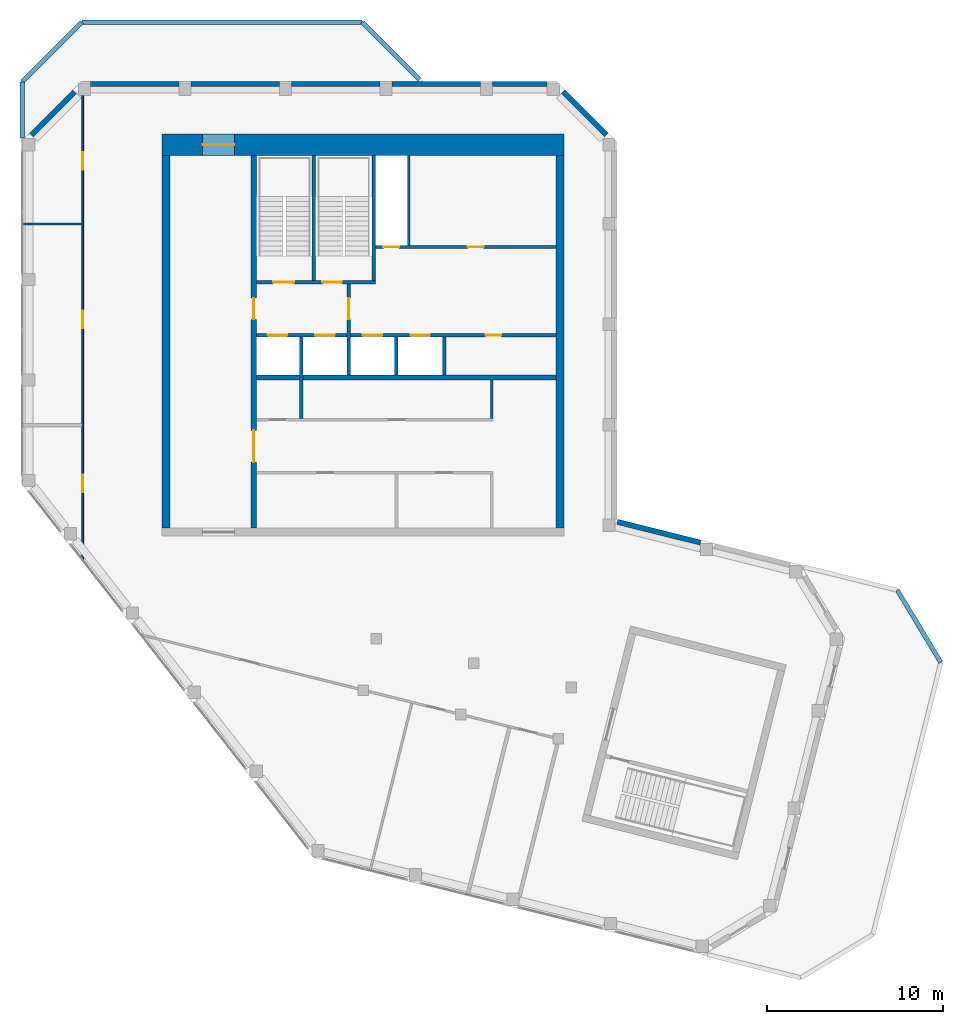
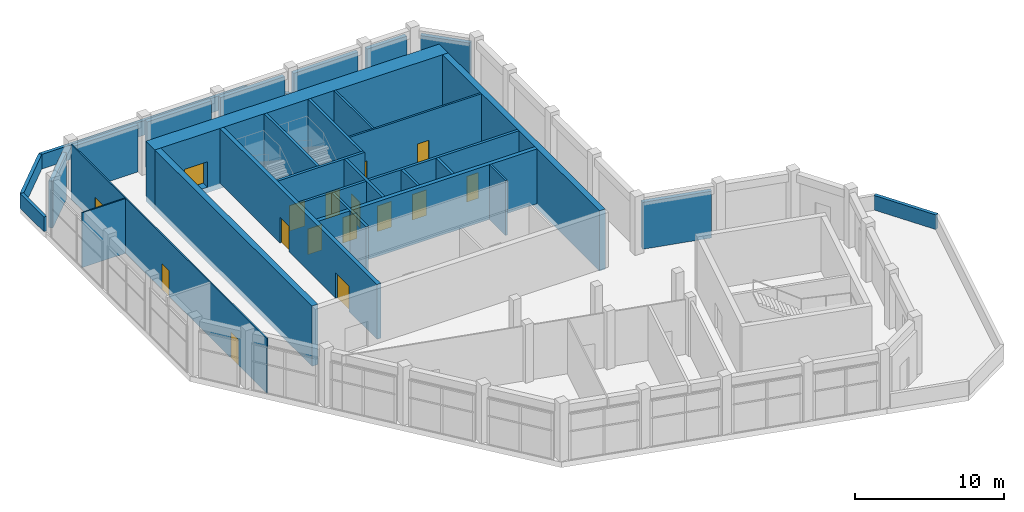
# One storey, part 8 of 10: 31 walls, 16 doors, 16 openings.
"""IFC4 building model written with IfcOpenShell, lengths in metres."""

from ifc_helpers import new_model, si_unit, direction, frame, frame_2d, origin, place, context, subcontext, project, spatial, rectangle, extrude, material, layer, layer_set, type_object, element, fill, save


model = new_model("IFC4")

# Units and contexts
model_context = context("Model", 3, precision=1e-05, world=origin(), true_north=direction((0.0, 1.0)))
body_context = subcontext(model_context, "Body", "Model", "MODEL_VIEW")
ifc_project = project(units=[si_unit("LENGTHUNIT", "METRE"), si_unit("AREAUNIT", "SQUARE_METRE"), si_unit("VOLUMEUNIT", "CUBIC_METRE"), si_unit("PLANEANGLEUNIT", "RADIAN"), si_unit("MASSUNIT", "GRAM", prefix="KILO")], contexts=[model_context])

# Site, building, storey
site_placement = place(None, origin())
site = spatial("IfcSite", under=ifc_project, at=site_placement, CompositionType="ELEMENT")
building_placement = place(site_placement, origin())
building = spatial("IfcBuilding", under=site, at=building_placement, Name="Meshkara Civic Tower", CompositionType="ELEMENT")
storey_placement = place(building_placement, frame((0.0, 0.0, 419.39990234375)))
storey = spatial("IfcBuildingStorey", under=building, at=storey_placement, Name="L96 Crown", CompositionType="ELEMENT", Elevation=419.39990234375)

# Walls
ifc_material_1 = material(Name="Insulated infill panel with bronze anodised aluminium cladding", Category="aluminium")
ifc_layer_1 = layer(ifc_material_1, 0.300048828125)
ifc_layer_set_1 = layer_set([ifc_layer_1], Name="CROWN WALL 300")
wall_type_1 = type_object("IfcWallType", Name="CROWN WALL 300", PredefinedType="SOLIDWALL", material=ifc_layer_set_1)
wall_1_placement = place(storey_placement, frame((38.5419921875, 13.73388671875, 0.0), z_axis=(0.0, 0.0, 1.0), x_axis=(-0.970284401049, 0.241967314076, 0.0)))
element("IfcWall", 1, at=wall_1_placement, inside=storey, type_object=wall_type_1, Name="Crown external wall", PredefinedType="SOLIDWALL", context=body_context, shape_type="SweptSolid", body=[
    extrude(rectangle(XDim=4.852294921875, YDim=0.300048828125, at=frame_2d((2.42626953125, 0.0))), origin(), (0.0, 0.0, 1.0), 3.85009765625),
])
wall_2_placement = place(storey_placement, frame((33.2119140625, 36.85595703125, 0.0), z_axis=(0.0, 0.0, 1.0), x_axis=(-0.707071634094, 0.707141926532, 0.0)))
element("IfcWall", 2, at=wall_2_placement, inside=storey, type_object=wall_type_1, Name="Crown external wall", PredefinedType="SOLIDWALL", context=body_context, shape_type="SweptSolid", body=[
    extrude(rectangle(XDim=3.47314453125, YDim=0.300048828125, at=frame_2d((1.736572265625, 0.0))), origin(), (0.0, 0.0, 1.0), 3.85009765625),
])
wall_3_placement = place(storey_placement, frame((29.843994140625, 39.75, 0.0), z_axis=(0.0, 0.0, 1.0), x_axis=(-1.0, 0.0, 0.0)))
element("IfcWall", 3, at=wall_3_placement, inside=storey, type_object=wall_type_1, Name="Crown external wall", PredefinedType="SOLIDWALL", context=body_context, shape_type="SweptSolid", body=[
    extrude(rectangle(XDim=3.087890625, YDim=0.300048828125, at=frame_2d((1.5439453125, 0.0))), origin(), (0.0, 0.0, 1.0), 3.85009765625),
])
for number, where, z_axis, x_axis, name in (
    (4, (26.055908203125, 39.75, 0.0), (0.0, 0.0, 1.0), (-1.0, 0.0, 0.0), "Crown external wall"),
    (5, (20.35595703125, 39.75, 0.0), (0.0, 0.0, 1.0), (-1.0, 0.0, 0.0), "Crown external wall"),
    (6, (14.656005859375, 39.75, 0.0), (0.0, 0.0, 1.0), (-1.0, 0.0, 0.0), "Crown external wall"),
    (7, (8.9560546875, 39.75, 0.0), (0.0, 0.0, 1.0), (-1.0, 0.0, 0.0), "Crown external wall"),
):
    element("IfcWall", number, at=place(storey_placement, frame(where, z_axis=z_axis, x_axis=x_axis)), inside=storey, type_object=wall_type_1, Name=name, PredefinedType="SOLIDWALL", context=body_context, shape_type="SweptSolid", body=[
        extrude(rectangle(XDim=5.0, YDim=0.300048828125, at=frame_2d((2.5, 0.0))), origin(), (0.0, 0.0, 1.0), 3.85009765625),
    ])
wall_4_placement = place(storey_placement, frame((3.0439453125, 39.31201171875, 0.0), z_axis=(0.0, 0.0, 1.0), x_axis=(-0.707106781187, -0.707106781187, 0.0)))
element("IfcWall", 8, at=wall_4_placement, inside=storey, type_object=wall_type_1, Name="Crown external wall", PredefinedType="SOLIDWALL", context=body_context, shape_type="SweptSolid", body=[
    extrude(rectangle(XDim=3.473388671875, YDim=0.300048828125, at=frame_2d((1.73681640625, 0.0))), origin(), (0.0, 0.0, 1.0), 3.85009765625),
])

# Wall, openings, doors
ifc_material_2 = material(Name="Blockwork", Category="masonry")
ifc_layer_2 = layer(ifc_material_2, 0.14990234375)
ifc_layer_set_2 = layer_set([ifc_layer_2], Name="Core partition 150")
wall_type_2 = type_object("IfcWallType", Name="Core partition 150", PredefinedType="PARTITIONING", material=ifc_layer_set_2)
wall_5_placement = place(storey_placement, frame((20.10009765625, 30.5, 0.0), z_axis=(0.0, 0.0, 1.0), x_axis=(1.0, 0.0, 0.0)))
wall_5 = element("IfcWall", 9, at=wall_5_placement, inside=storey, type_object=wall_type_2, Name="L96 Crown-C010", PredefinedType="PARTITIONING", context=body_context, shape_type="SweptSolid", body=[
    extrude(rectangle(XDim=10.25, YDim=0.14990234375, at=frame_2d((5.125, 0.0))), origin(), (0.0, 0.0, 1.0), 4.5),
])
opening_1_placement = place(wall_5_placement, frame((0.449951171875, 0.0, 0.0)))
opening_1 = element("IfcOpeningElement", 10, at=opening_1_placement, cuts=wall_5, Name="Opening L96 Crown-K010", PredefinedType="OPENING", context=body_context, shape_type="SweptSolid", body=[
    extrude(rectangle(XDim=0.89990234375, YDim=2.10009765625, at=frame_2d((0.449951171875, 1.050048828125))), frame((0.0, 0.0849609375, 0.0), z_axis=(0.0, -1.0, 0.0), x_axis=(1.0, 0.0, 0.0)), (0.0, 0.0, 1.0), 0.169921875),
])
opening_2_placement = place(wall_5_placement, frame((5.25, 0.0, 0.0)))
opening_2 = element("IfcOpeningElement", 11, at=opening_2_placement, cuts=wall_5, Name="Opening L96 Crown-K011", PredefinedType="OPENING", context=body_context, shape_type="SweptSolid", body=[
    extrude(rectangle(XDim=0.89990234375, YDim=2.10009765625, at=frame_2d((0.449951171875, 1.050048828125))), frame((0.0, 0.0849609375, 0.0), z_axis=(0.0, -1.0, 0.0), x_axis=(1.0, 0.0, 0.0)), (0.0, 0.0, 1.0), 0.169921875),
])
ifc_material_3 = material(Name="Timber door leaf in steel frame", Category="steel")
door_type_1 = type_object("IfcDoorType", Name="Core room door 900", OperationType="SINGLE_SWING_LEFT", PredefinedType="DOOR", material=ifc_material_3)
door_1_placement = place(opening_2_placement, origin())
door_1 = element("IfcDoor", 12, at=door_1_placement, inside=storey, type_object=door_type_1, Name="L96 Crown-K011", OperationType="SINGLE_SWING_LEFT", OverallHeight=2.10009765625, OverallWidth=0.89990234375, PredefinedType="DOOR", context=body_context, shape_type="SweptSolid", body=[
    extrude(rectangle(XDim=0.89990234375, YDim=2.10009765625, at=frame_2d((0.449951171875, 1.050048828125))), frame((0.0, 0.02490234375, 0.0), z_axis=(0.0, -1.0, 0.0), x_axis=(1.0, 0.0, 0.0)), (0.0, 0.0, 1.0), 0.050048828125),
])
fill(opening_2, door_1)
ifc_material_4 = material(Name="Fire-rated door leaf in steel frame", Category="steel")
door_type_2 = type_object("IfcDoorType", Name="Riser door 900", OperationType="SINGLE_SWING_LEFT", PredefinedType="DOOR", material=ifc_material_4)
door_2_placement = place(opening_1_placement, origin())
door_2 = element("IfcDoor", 13, at=door_2_placement, inside=storey, type_object=door_type_2, Name="L96 Crown-K010", OperationType="SINGLE_SWING_RIGHT", OverallHeight=2.10009765625, OverallWidth=0.89990234375, PredefinedType="DOOR", context=body_context, shape_type="SweptSolid", body=[
    extrude(rectangle(XDim=0.89990234375, YDim=2.10009765625, at=frame_2d((0.449951171875, 1.050048828125))), frame((0.0, 0.02490234375, 0.0), z_axis=(0.0, -1.0, 0.0), x_axis=(1.0, 0.0, 0.0)), (0.0, 0.0, 1.0), 0.050048828125),
])
fill(opening_1, door_2)

# Walls
wall_6_placement = place(storey_placement, frame((22.0, 30.574951171875, 0.0), z_axis=(0.0, 0.0, 1.0), x_axis=(0.0, 1.0, 0.0)))
element("IfcWall", 14, at=wall_6_placement, inside=storey, type_object=wall_type_2, Name="L96 Crown-C018", PredefinedType="PARTITIONING", context=body_context, shape_type="SweptSolid", body=[
    extrude(rectangle(XDim=5.125, YDim=0.14990234375, at=frame_2d((2.5625, 0.0))), origin(), (0.0, 0.0, 1.0), 4.5),
])
wall_7_placement = place(storey_placement, frame((26.699951171875, 20.77490234375, 0.0), z_axis=(0.0, 0.0, 1.0), x_axis=(0.0, 1.0, 0.0)))
element("IfcWall", 15, at=wall_7_placement, inside=storey, type_object=wall_type_2, Name="L96 Crown-C021", PredefinedType="PARTITIONING", context=body_context, shape_type="SweptSolid", body=[
    extrude(rectangle(XDim=2.175048828125, YDim=0.14990234375, at=frame_2d((1.08740234375, 0.0))), origin(), (0.0, 0.0, 1.0), 4.5),
])

# Wall, opening, door
ifc_material_5 = material(Name="Concrete C50", Category="concrete")
ifc_layer_3 = layer(ifc_material_5, 1.199951171875)
ifc_layer_set_3 = layer_set([ifc_layer_3], Name="Core ring wall 1200 C50")
wall_type_3 = type_object("IfcWallType", Name="Core ring wall 1200 C50", PredefinedType="SHEAR", material=ifc_layer_set_3)
wall_8_placement = place(storey_placement, frame((8.0, 36.300048828125, -0.449951171875), z_axis=(0.0, 0.0, 1.0), x_axis=(1.0, 0.0, 0.0)))
wall_8 = element("IfcWall", 16, at=wall_8_placement, inside=storey, type_object=wall_type_3, Name="L96 Crown-C002", PredefinedType="SHEAR", context=body_context, shape_type="SweptSolid", body=[
    extrude(rectangle(XDim=22.800048828125, YDim=1.199951171875, at=frame_2d((11.39990234375, 0.0))), origin(), (0.0, 0.0, 1.0), 4.949951171875),
])
opening_3_placement = place(wall_8_placement, frame((2.300048828125, 0.0, 0.449951171875)))
opening_3 = element("IfcOpeningElement", 17, at=opening_3_placement, cuts=wall_8, Name="Opening L96 Crown-K017", PredefinedType="OPENING", context=body_context, shape_type="SweptSolid", body=[
    extrude(rectangle(XDim=1.800048828125, YDim=2.10009765625, at=frame_2d((0.89990234375, 1.050048828125))), frame((0.0, 0.60986328125, 0.0), z_axis=(0.0, -1.0, 0.0), x_axis=(1.0, 0.0, 0.0)), (0.0, 0.0, 1.0), 1.219970703125),
])
ifc_material_6 = material(Name="Fire-rated door leaf in steel frame", Category="steel")
door_type_3 = type_object("IfcDoorType", Name="Core double door 1800 EI 60", OperationType="DOUBLE_DOOR_SINGLE_SWING", PredefinedType="DOOR", material=ifc_material_6)
door_3_placement = place(opening_3_placement, origin())
door_3 = element("IfcDoor", 18, at=door_3_placement, inside=storey, type_object=door_type_3, Name="L96 Crown-K017", OperationType="DOUBLE_DOOR_SINGLE_SWING", OverallHeight=2.10009765625, OverallWidth=1.800048828125, PredefinedType="DOOR", context=body_context, shape_type="SweptSolid", body=[
    extrude(rectangle(XDim=1.800048828125, YDim=2.10009765625, at=frame_2d((0.89990234375, 1.050048828125))), frame((0.0, 0.02490234375, 0.0), z_axis=(0.0, -1.0, 0.0), x_axis=(1.0, 0.0, 0.0)), (0.0, 0.0, 1.0), 0.050048828125),
])
fill(opening_3, door_3)

# Walls
ifc_material_7 = material(Name="Concrete C50", Category="concrete")
ifc_layer_4 = layer(ifc_material_7, 0.449951171875)
ifc_layer_set_4 = layer_set([ifc_layer_4], Name="Core ring wall 450 C50")
wall_type_4 = type_object("IfcWallType", Name="Core ring wall 450 C50", PredefinedType="SHEAR", material=ifc_layer_set_4)
for number, where, z_axis, x_axis, name in (
    (19, (8.22509765625, 14.550048828125, -0.449951171875), (0.0, 0.0, 1.0), (0.0, 1.0, 0.0), "L96 Crown-C003"),
    (20, (30.574951171875, 14.550048828125, -0.449951171875), (0.0, 0.0, 1.0), (0.0, 1.0, 0.0), "L96 Crown-C004"),
):
    element("IfcWall", number, at=place(storey_placement, frame(where, z_axis=z_axis, x_axis=x_axis)), inside=storey, type_object=wall_type_4, Name=name, PredefinedType="SHEAR", context=body_context, shape_type="SweptSolid", body=[
        extrude(rectangle(XDim=21.14990234375, YDim=0.449951171875, at=frame_2d((10.574951171875, 0.0))), origin(), (0.0, 0.0, 1.0), 4.949951171875),
    ])
ifc_material_8 = material(Name="Concrete C50", Category="concrete")
ifc_layer_5 = layer(ifc_material_8, 0.300048828125)
ifc_layer_set_5 = layer_set([ifc_layer_5], Name="Core shear wall 300 C50")
wall_type_5 = type_object("IfcWallType", Name="Core shear wall 300 C50", PredefinedType="SHEAR", material=ifc_layer_set_5)
wall_9_placement = place(storey_placement, frame((13.35009765625, 23.10009765625, 0.0), z_axis=(0.0, 0.0, 1.0), x_axis=(1.0, 0.0, 0.0)))
element("IfcWall", 21, at=wall_9_placement, inside=storey, type_object=wall_type_5, Name="L96 Crown-C007", PredefinedType="SHEAR", context=body_context, shape_type="SweptSolid", body=[
    extrude(rectangle(XDim=17.0, YDim=0.300048828125, at=frame_2d((8.5, 0.0))), origin(), (0.0, 0.0, 1.0), 4.5),
])

# Wall, openings, doors
wall_10_placement = place(storey_placement, frame((13.199951171875, 14.550048828125, 0.0), z_axis=(0.0, 0.0, 1.0), x_axis=(0.0, 1.0, 0.0)))
wall_10 = element("IfcWall", 22, at=wall_10_placement, inside=storey, type_object=wall_type_5, Name="L96 Crown-C011", PredefinedType="SHEAR", context=body_context, shape_type="SweptSolid", body=[
    extrude(rectangle(XDim=21.14990234375, YDim=0.300048828125, at=frame_2d((10.574951171875, 0.0))), origin(), (0.0, 0.0, 1.0), 4.5),
])
opening_4_placement = place(wall_10_placement, frame((3.75, 0.0, 0.0)))
opening_4 = element("IfcOpeningElement", 23, at=opening_4_placement, cuts=wall_10, Name="Opening L96 Crown-K014", PredefinedType="OPENING", context=body_context, shape_type="SweptSolid", body=[
    extrude(rectangle(XDim=1.800048828125, YDim=2.10009765625, at=frame_2d((0.89990234375, 1.050048828125))), frame((0.0, 0.159912109375, 0.0), z_axis=(0.0, -1.0, 0.0), x_axis=(1.0, 0.0, 0.0)), (0.0, 0.0, 1.0), 0.320068359375),
])
opening_5_placement = place(wall_10_placement, frame((11.85009765625, 0.0, 0.0)))
opening_5 = element("IfcOpeningElement", 24, at=opening_5_placement, cuts=wall_10, Name="Opening L96 Crown-K015", PredefinedType="OPENING", context=body_context, shape_type="SweptSolid", body=[
    extrude(rectangle(XDim=1.199951171875, YDim=2.10009765625, at=frame_2d((0.60009765625, 1.050048828125))), frame((0.0, 0.159912109375, 0.0), z_axis=(0.0, -1.0, 0.0), x_axis=(1.0, 0.0, 0.0)), (0.0, 0.0, 1.0), 0.320068359375),
])
door_4_placement = place(opening_4_placement, origin())
door_4 = element("IfcDoor", 25, at=door_4_placement, inside=storey, type_object=door_type_3, Name="L96 Crown-K014", OperationType="DOUBLE_DOOR_SINGLE_SWING", OverallHeight=2.10009765625, OverallWidth=1.800048828125, PredefinedType="DOOR", context=body_context, shape_type="SweptSolid", body=[
    extrude(rectangle(XDim=1.800048828125, YDim=2.10009765625, at=frame_2d((0.89990234375, 1.050048828125))), frame((0.0, 0.02490234375, 0.0), z_axis=(0.0, -1.0, 0.0), x_axis=(1.0, 0.0, 0.0)), (0.0, 0.0, 1.0), 0.050048828125),
])
fill(opening_4, door_4)
ifc_material_9 = material(Name="Fire-rated door leaf in steel frame", Category="steel")
door_type_4 = type_object("IfcDoorType", Name="Fire-fighting lobby door 1200 EI 120", OperationType="SINGLE_SWING_LEFT", PredefinedType="DOOR", material=ifc_material_9)
door_5_placement = place(opening_5_placement, origin())
door_5 = element("IfcDoor", 26, at=door_5_placement, inside=storey, type_object=door_type_4, Name="L96 Crown-K015", OperationType="SINGLE_SWING_LEFT", OverallHeight=2.10009765625, OverallWidth=1.199951171875, PredefinedType="DOOR", context=body_context, shape_type="SweptSolid", body=[
    extrude(rectangle(XDim=1.199951171875, YDim=2.10009765625, at=frame_2d((0.60009765625, 1.050048828125))), frame((0.0, 0.02490234375, 0.0), z_axis=(0.0, -1.0, 0.0), x_axis=(1.0, 0.0, 0.0)), (0.0, 0.0, 1.0), 0.050048828125),
])
fill(opening_5, door_5)

ifc_material_10 = material(Name="Corridor wall 100")
ifc_layer_6 = layer(ifc_material_10, 0.10009765625)
ifc_layer_set_6 = layer_set([ifc_layer_6], Name="Corridor wall 100")
wall_type_6 = type_object("IfcWallType", Name="Corridor wall 100", PredefinedType="PARTITIONING", material=ifc_layer_set_6)
wall_11_placement = place(storey_placement, frame((3.5, 12.7529296875, 0.0), z_axis=(0.0, 0.0, 1.0), x_axis=(0.0, 1.0, 0.0)))
wall_11 = element("IfcWall", 27, at=wall_11_placement, inside=storey, type_object=wall_type_6, Name="L96 Crown-R001", PredefinedType="PARTITIONING", context=body_context, shape_type="SweptSolid", body=[
    extrude(rectangle(XDim=26.3271484375, YDim=0.10009765625, at=frame_2d((13.16357421875, 0.0))), origin(), (0.0, 0.0, 1.0), 4.5),
])
opening_6_placement = place(wall_11_placement, frame((3.833984375, 0.0, 0.0)))
opening_6 = element("IfcOpeningElement", 28, at=opening_6_placement, cuts=wall_11, Name="Opening L96 Crown-P004", PredefinedType="OPENING", context=body_context, shape_type="SweptSolid", body=[
    extrude(rectangle(XDim=1.0, YDim=2.10009765625, at=frame_2d((0.5, 1.050048828125))), frame((0.0, 0.06005859375, 0.0), z_axis=(0.0, -1.0, 0.0), x_axis=(1.0, 0.0, 0.0)), (0.0, 0.0, 1.0), 0.1201171875),
])
opening_7_placement = place(wall_11_placement, frame((13.126953125, 0.0, 0.0)))
opening_7 = element("IfcOpeningElement", 29, at=opening_7_placement, cuts=wall_11, Name="Opening L96 Crown-P005", PredefinedType="OPENING", context=body_context, shape_type="SweptSolid", body=[
    extrude(rectangle(XDim=1.0, YDim=2.10009765625, at=frame_2d((0.5, 1.050048828125))), frame((0.0, 0.06005859375, 0.0), z_axis=(0.0, -1.0, 0.0), x_axis=(1.0, 0.0, 0.0)), (0.0, 0.0, 1.0), 0.1201171875),
])
opening_8_placement = place(wall_11_placement, frame((22.126953125, 0.0, 0.0)))
opening_8 = element("IfcOpeningElement", 30, at=opening_8_placement, cuts=wall_11, Name="Opening L96 Crown-P006", PredefinedType="OPENING", context=body_context, shape_type="SweptSolid", body=[
    extrude(rectangle(XDim=1.0, YDim=2.10009765625, at=frame_2d((0.5, 1.050048828125))), frame((0.0, 0.06005859375, 0.0), z_axis=(0.0, -1.0, 0.0), x_axis=(1.0, 0.0, 0.0)), (0.0, 0.0, 1.0), 0.1201171875),
])
ifc_material_11 = material(Name="Door 1000 x 2100")
door_type_5 = type_object("IfcDoorType", Name="Door 1000 x 2100", OperationType="SINGLE_SWING_LEFT", PredefinedType="DOOR", material=ifc_material_11)
door_6_placement = place(opening_6_placement, origin())
door_6 = element("IfcDoor", 31, at=door_6_placement, inside=storey, type_object=door_type_5, Name="L96 Crown-P004", OperationType="SINGLE_SWING_LEFT", OverallHeight=2.10009765625, OverallWidth=1.0, PredefinedType="DOOR", context=body_context, shape_type="SweptSolid", body=[
    extrude(rectangle(XDim=1.0, YDim=2.10009765625, at=frame_2d((0.5, 1.050048828125))), frame((0.0, 0.02490234375, 0.0), z_axis=(0.0, -1.0, 0.0), x_axis=(1.0, 0.0, 0.0)), (0.0, 0.0, 1.0), 0.050048828125),
])
fill(opening_6, door_6)
door_7_placement = place(opening_7_placement, origin())
door_7 = element("IfcDoor", 32, at=door_7_placement, inside=storey, type_object=door_type_5, Name="L96 Crown-P005", OperationType="SINGLE_SWING_RIGHT", OverallHeight=2.10009765625, OverallWidth=1.0, PredefinedType="DOOR", context=body_context, shape_type="SweptSolid", body=[
    extrude(rectangle(XDim=1.0, YDim=2.10009765625, at=frame_2d((0.5, 1.050048828125))), frame((0.0, 0.02490234375, 0.0), z_axis=(0.0, -1.0, 0.0), x_axis=(1.0, 0.0, 0.0)), (0.0, 0.0, 1.0), 0.050048828125),
])
fill(opening_7, door_7)
door_8_placement = place(opening_8_placement, origin())
door_8 = element("IfcDoor", 33, at=door_8_placement, inside=storey, type_object=door_type_5, Name="L96 Crown-P006", OperationType="SINGLE_SWING_RIGHT", OverallHeight=2.10009765625, OverallWidth=1.0, PredefinedType="DOOR", context=body_context, shape_type="SweptSolid", body=[
    extrude(rectangle(XDim=1.0, YDim=2.10009765625, at=frame_2d((0.5, 1.050048828125))), frame((0.0, 0.02490234375, 0.0), z_axis=(0.0, -1.0, 0.0), x_axis=(1.0, 0.0, 0.0)), (0.0, 0.0, 1.0), 0.050048828125),
])
fill(opening_8, door_8)

# Walls
ifc_material_12 = material(Name="Partition 100")
ifc_layer_7 = layer(ifc_material_12, 0.10009765625)
ifc_layer_set_7 = layer_set([ifc_layer_7], Name="Partition 100")
wall_type_7 = type_object("IfcWallType", Name="Partition 100", PredefinedType="PARTITIONING", material=ifc_layer_set_7)
wall_12_placement = place(storey_placement, frame((3.449951171875, 31.800048828125, 0.0), z_axis=(0.0, 0.0, 1.0), x_axis=(-1.0, 0.0, 0.0)))
element("IfcWall", 34, at=wall_12_placement, inside=storey, type_object=wall_type_7, Name="L96 Crown-R007", PredefinedType="PARTITIONING", context=body_context, shape_type="SweptSolid", body=[
    extrude(rectangle(XDim=3.3759765625, YDim=0.10009765625, at=frame_2d((1.68798828125, 0.0))), origin(), (0.0, 0.0, 1.0), 4.5),
])
ifc_material_13 = material(Name="Concrete C40", Category="concrete")
ifc_layer_8 = layer(ifc_material_13, 0.25)
ifc_layer_set_8 = layer_set([ifc_layer_8], Name="ROOF PARAPET 250")
wall_type_8 = type_object("IfcWallType", Name="ROOF PARAPET 250", PredefinedType="PARAPET", material=ifc_layer_set_8)
wall_13_placement = place(storey_placement, frame((0.070068359375, 36.69091796875, 0.0), z_axis=(0.0, 0.0, 1.0), x_axis=(0.0, 1.0, 0.0)))
element("IfcWall", 35, at=wall_13_placement, inside=storey, type_object=wall_type_8, Name="Roof parapet", PredefinedType="PARAPET", context=body_context, shape_type="SweptSolid", body=[
    extrude(rectangle(XDim=3.18017578125, YDim=0.25, at=frame_2d((1.590087890625, 0.0))), origin(), (0.0, 0.0, 1.0), 1.2001953125),
])
wall_14_placement = place(storey_placement, frame((0.070068359375, 39.87109375, 0.0), z_axis=(0.0, 0.0, 1.0), x_axis=(0.707106781187, 0.707106781187, 0.0)))
element("IfcWall", 36, at=wall_14_placement, inside=storey, type_object=wall_type_8, Name="Roof parapet", PredefinedType="PARAPET", context=body_context, shape_type="SweptSolid", body=[
    extrude(rectangle(XDim=4.778564453125, YDim=0.25, at=frame_2d((2.38916015625, 0.0))), origin(), (0.0, 0.0, 1.0), 1.2001953125),
])
wall_15_placement = place(storey_placement, frame((3.448974609375, 43.25, 0.0), z_axis=(0.0, 0.0, 1.0), x_axis=(1.0, 0.0, 0.0)))
element("IfcWall", 37, at=wall_15_placement, inside=storey, type_object=wall_type_8, Name="Roof parapet", PredefinedType="PARAPET", context=body_context, shape_type="SweptSolid", body=[
    extrude(rectangle(XDim=15.902099609375, YDim=0.25, at=frame_2d((7.951171875, 0.0))), origin(), (0.0, 0.0, 1.0), 1.2001953125),
])
wall_16_placement = place(storey_placement, frame((19.35107421875, 43.25, 0.0), z_axis=(0.0, 0.0, 1.0), x_axis=(0.707106781187, -0.707106781187, 0.0)))
element("IfcWall", 38, at=wall_16_placement, inside=storey, type_object=wall_type_8, Name="Roof parapet", PredefinedType="PARAPET", context=body_context, shape_type="SweptSolid", body=[
    extrude(rectangle(XDim=4.59619140625, YDim=0.25, at=frame_2d((2.298095703125, 0.0))), origin(), (0.0, 0.0, 1.0), 1.2001953125),
])
wall_17_placement = place(storey_placement, frame((49.716064453125, 11.030029296875, 0.0), z_axis=(0.0, 0.0, 1.0), x_axis=(0.515014101709, -0.857181704798, 0.0)))
element("IfcWall", 39, at=wall_17_placement, inside=storey, type_object=wall_type_8, Name="Roof parapet", PredefinedType="PARAPET", context=body_context, shape_type="SweptSolid", body=[
    extrude(rectangle(XDim=4.7783203125, YDim=0.25, at=frame_2d((2.38916015625, 0.0))), origin(), (0.0, 0.0, 1.0), 1.2001953125),
])

# Wall, openings, doors
ifc_material_14 = material(Name="Concrete C40/50", Category="concrete")
ifc_layer_9 = layer(ifc_material_14, 0.199951171875)
ifc_layer_set_9 = layer_set([ifc_layer_9], Name="Shaft wall 200 C40/50")
wall_type_9 = type_object("IfcWallType", Name="Shaft wall 200 C40/50", PredefinedType="SOLIDWALL", material=ifc_layer_set_9)
wall_18_placement = place(storey_placement, frame((13.35009765625, 25.5, 0.0), z_axis=(0.0, 0.0, 1.0), x_axis=(1.0, 0.0, 0.0)))
wall_18 = element("IfcWall", 40, at=wall_18_placement, inside=storey, type_object=wall_type_9, Name="L96 Crown-C008", PredefinedType="SOLIDWALL", context=body_context, shape_type="SweptSolid", body=[
    extrude(rectangle(XDim=17.0, YDim=0.199951171875, at=frame_2d((8.5, 0.0))), origin(), (0.0, 0.0, 1.0), 4.5),
])
opening_9_placement = place(wall_18_placement, frame((0.64990234375, 0.0, 0.0)))
opening_9 = element("IfcOpeningElement", 41, at=opening_9_placement, cuts=wall_18, Name="Opening L96 Crown-K001", PredefinedType="OPENING", context=body_context, shape_type="SweptSolid", body=[
    extrude(rectangle(XDim=1.10009765625, YDim=2.10009765625, at=frame_2d((0.550048828125, 1.050048828125))), frame((0.0, 0.10986328125, 0.0), z_axis=(0.0, -1.0, 0.0), x_axis=(1.0, 0.0, 0.0)), (0.0, 0.0, 1.0), 0.219970703125),
])
opening_10_placement = place(wall_18_placement, frame((3.35009765625, 0.0, 0.0)))
opening_10 = element("IfcOpeningElement", 42, at=opening_10_placement, cuts=wall_18, Name="Opening L96 Crown-K002", PredefinedType="OPENING", context=body_context, shape_type="SweptSolid", body=[
    extrude(rectangle(XDim=1.10009765625, YDim=2.10009765625, at=frame_2d((0.550048828125, 1.050048828125))), frame((0.0, 0.10986328125, 0.0), z_axis=(0.0, -1.0, 0.0), x_axis=(1.0, 0.0, 0.0)), (0.0, 0.0, 1.0), 0.219970703125),
])
opening_11_placement = place(wall_18_placement, frame((6.050048828125, 0.0, 0.0)))
opening_11 = element("IfcOpeningElement", 43, at=opening_11_placement, cuts=wall_18, Name="Opening L96 Crown-K003", PredefinedType="OPENING", context=body_context, shape_type="SweptSolid", body=[
    extrude(rectangle(XDim=1.10009765625, YDim=2.10009765625, at=frame_2d((0.550048828125, 1.050048828125))), frame((0.0, 0.10986328125, 0.0), z_axis=(0.0, -1.0, 0.0), x_axis=(1.0, 0.0, 0.0)), (0.0, 0.0, 1.0), 0.219970703125),
])
opening_12_placement = place(wall_18_placement, frame((8.75, 0.0, 0.0)))
opening_12 = element("IfcOpeningElement", 44, at=opening_12_placement, cuts=wall_18, Name="Opening L96 Crown-K004", PredefinedType="OPENING", context=body_context, shape_type="SweptSolid", body=[
    extrude(rectangle(XDim=1.10009765625, YDim=2.10009765625, at=frame_2d((0.550048828125, 1.050048828125))), frame((0.0, 0.10986328125, 0.0), z_axis=(0.0, -1.0, 0.0), x_axis=(1.0, 0.0, 0.0)), (0.0, 0.0, 1.0), 0.219970703125),
])
opening_13_placement = place(wall_18_placement, frame((13.0, 0.0, 0.0)))
opening_13 = element("IfcOpeningElement", 45, at=opening_13_placement, cuts=wall_18, Name="Opening L96 Crown-K009", PredefinedType="OPENING", context=body_context, shape_type="SweptSolid", body=[
    extrude(rectangle(XDim=0.89990234375, YDim=2.10009765625, at=frame_2d((0.449951171875, 1.050048828125))), frame((0.0, 0.10986328125, 0.0), z_axis=(0.0, -1.0, 0.0), x_axis=(1.0, 0.0, 0.0)), (0.0, 0.0, 1.0), 0.219970703125),
])
door_9_placement = place(opening_13_placement, origin())
door_9 = element("IfcDoor", 46, at=door_9_placement, inside=storey, type_object=door_type_1, Name="L96 Crown-K009", OperationType="SINGLE_SWING_LEFT", OverallHeight=2.10009765625, OverallWidth=0.89990234375, PredefinedType="DOOR", context=body_context, shape_type="SweptSolid", body=[
    extrude(rectangle(XDim=0.89990234375, YDim=2.10009765625, at=frame_2d((0.449951171875, 1.050048828125))), frame((0.0, 0.02490234375, 0.0), z_axis=(0.0, -1.0, 0.0), x_axis=(1.0, 0.0, 0.0)), (0.0, 0.0, 1.0), 0.050048828125),
])
fill(opening_13, door_9)
ifc_material_15 = material(Name="Stainless steel landing door", Category="steel")
door_type_6 = type_object("IfcDoorType", Name="Lift landing door 1100", OperationType="SLIDING_TO_LEFT", PredefinedType="DOOR", material=ifc_material_15)
door_10_placement = place(opening_9_placement, origin())
door_10 = element("IfcDoor", 47, at=door_10_placement, inside=storey, type_object=door_type_6, Name="L96 Crown-K001", OperationType="SLIDING_TO_LEFT", OverallHeight=2.10009765625, OverallWidth=1.10009765625, PredefinedType="DOOR", context=body_context, shape_type="SweptSolid", body=[
    extrude(rectangle(XDim=1.10009765625, YDim=2.10009765625, at=frame_2d((0.550048828125, 1.050048828125))), frame((0.0, 0.02490234375, 0.0), z_axis=(0.0, -1.0, 0.0), x_axis=(1.0, 0.0, 0.0)), (0.0, 0.0, 1.0), 0.050048828125),
])
fill(opening_9, door_10)
door_11_placement = place(opening_10_placement, origin())
door_11 = element("IfcDoor", 48, at=door_11_placement, inside=storey, type_object=door_type_6, Name="L96 Crown-K002", OperationType="SLIDING_TO_LEFT", OverallHeight=2.10009765625, OverallWidth=1.10009765625, PredefinedType="DOOR", context=body_context, shape_type="SweptSolid", body=[
    extrude(rectangle(XDim=1.10009765625, YDim=2.10009765625, at=frame_2d((0.550048828125, 1.050048828125))), frame((0.0, 0.02490234375, 0.0), z_axis=(0.0, -1.0, 0.0), x_axis=(1.0, 0.0, 0.0)), (0.0, 0.0, 1.0), 0.050048828125),
])
fill(opening_10, door_11)
door_12_placement = place(opening_11_placement, origin())
door_12 = element("IfcDoor", 49, at=door_12_placement, inside=storey, type_object=door_type_6, Name="L96 Crown-K003", OperationType="SLIDING_TO_LEFT", OverallHeight=2.10009765625, OverallWidth=1.10009765625, PredefinedType="DOOR", context=body_context, shape_type="SweptSolid", body=[
    extrude(rectangle(XDim=1.10009765625, YDim=2.10009765625, at=frame_2d((0.550048828125, 1.050048828125))), frame((0.0, 0.02490234375, 0.0), z_axis=(0.0, -1.0, 0.0), x_axis=(1.0, 0.0, 0.0)), (0.0, 0.0, 1.0), 0.050048828125),
])
fill(opening_11, door_12)
door_13_placement = place(opening_12_placement, origin())
door_13 = element("IfcDoor", 50, at=door_13_placement, inside=storey, type_object=door_type_6, Name="L96 Crown-K004", OperationType="SLIDING_TO_LEFT", OverallHeight=2.10009765625, OverallWidth=1.10009765625, PredefinedType="DOOR", context=body_context, shape_type="SweptSolid", body=[
    extrude(rectangle(XDim=1.10009765625, YDim=2.10009765625, at=frame_2d((0.550048828125, 1.050048828125))), frame((0.0, 0.02490234375, 0.0), z_axis=(0.0, -1.0, 0.0), x_axis=(1.0, 0.0, 0.0)), (0.0, 0.0, 1.0), 0.050048828125),
])
fill(opening_12, door_13)

# Wall
wall_19_placement = place(storey_placement, frame((15.89990234375, 20.77490234375, 0.0), z_axis=(0.0, 0.0, 1.0), x_axis=(0.0, 1.0, 0.0)))
element("IfcWall", 51, at=wall_19_placement, inside=storey, type_object=wall_type_9, Name="L96 Crown-C012", PredefinedType="SOLIDWALL", context=body_context, shape_type="SweptSolid", body=[
    extrude(rectangle(XDim=4.625, YDim=0.199951171875, at=frame_2d((2.3125, 0.0))), origin(), (0.0, 0.0, 1.0), 4.5),
])

# Wall, opening, door
wall_20_placement = place(storey_placement, frame((18.60009765625, 23.25, 0.0), z_axis=(0.0, 0.0, 1.0), x_axis=(0.0, 1.0, 0.0)))
wall_20 = element("IfcWall", 52, at=wall_20_placement, inside=storey, type_object=wall_type_9, Name="L96 Crown-C014", PredefinedType="SOLIDWALL", context=body_context, shape_type="SweptSolid", body=[
    extrude(rectangle(XDim=5.14990234375, YDim=0.199951171875, at=frame_2d((2.574951171875, 0.0))), origin(), (0.0, 0.0, 1.0), 4.5),
])
opening_14_placement = place(wall_20_placement, frame((3.14990234375, 0.0, 0.0)))
opening_14 = element("IfcOpeningElement", 53, at=opening_14_placement, cuts=wall_20, Name="Opening L96 Crown-K016", PredefinedType="OPENING", context=body_context, shape_type="SweptSolid", body=[
    extrude(rectangle(XDim=1.199951171875, YDim=2.10009765625, at=frame_2d((0.60009765625, 1.050048828125))), frame((0.0, 0.10986328125, 0.0), z_axis=(0.0, -1.0, 0.0), x_axis=(1.0, 0.0, 0.0)), (0.0, 0.0, 1.0), 0.219970703125),
])
door_14_placement = place(opening_14_placement, origin())
door_14 = element("IfcDoor", 54, at=door_14_placement, inside=storey, type_object=door_type_4, Name="L96 Crown-K016", OperationType="SINGLE_SWING_RIGHT", OverallHeight=2.10009765625, OverallWidth=1.199951171875, PredefinedType="DOOR", context=body_context, shape_type="SweptSolid", body=[
    extrude(rectangle(XDim=1.199951171875, YDim=2.10009765625, at=frame_2d((0.60009765625, 1.050048828125))), frame((0.0, 0.02490234375, 0.0), z_axis=(0.0, -1.0, 0.0), x_axis=(1.0, 0.0, 0.0)), (0.0, 0.0, 1.0), 0.050048828125),
])
fill(opening_14, door_14)

# Walls
for number, where, z_axis, x_axis, name in (
    (55, (21.300048828125, 23.25, 0.0), (0.0, 0.0, 1.0), (0.0, 1.0, 0.0), "L96 Crown-C017"),
    (56, (24.0, 23.25, 0.0), (0.0, 0.0, 1.0), (0.0, 1.0, 0.0), "L96 Crown-C019"),
):
    element("IfcWall", number, at=place(storey_placement, frame(where, z_axis=z_axis, x_axis=x_axis)), inside=storey, type_object=wall_type_9, Name=name, PredefinedType="SOLIDWALL", context=body_context, shape_type="SweptSolid", body=[
        extrude(rectangle(XDim=2.14990234375, YDim=0.199951171875, at=frame_2d((1.074951171875, 0.0))), origin(), (0.0, 0.0, 1.0), 4.5),
    ])

# Wall, openings, doors
ifc_material_16 = material(Name="Concrete C40/50", Category="concrete")
ifc_layer_10 = layer(ifc_material_16, 0.199951171875)
ifc_layer_set_10 = layer_set([ifc_layer_10], Name="Stair enclosure wall 200 C40/50")
wall_type_10 = type_object("IfcWallType", Name="Stair enclosure wall 200 C40/50", PredefinedType="SOLIDWALL", material=ifc_layer_set_10)
wall_21_placement = place(storey_placement, frame((13.35009765625, 28.5, 0.0), z_axis=(0.0, 0.0, 1.0), x_axis=(1.0, 0.0, 0.0)))
wall_21 = element("IfcWall", 57, at=wall_21_placement, inside=storey, type_object=wall_type_10, Name="L96 Crown-C009", PredefinedType="SOLIDWALL", context=body_context, shape_type="SweptSolid", body=[
    extrude(rectangle(XDim=6.75, YDim=0.199951171875, at=frame_2d((3.375, 0.0))), origin(), (0.0, 0.0, 1.0), 4.5),
])
opening_15_placement = place(wall_21_placement, frame((0.949951171875, 0.0, 0.0)))
opening_15 = element("IfcOpeningElement", 58, at=opening_15_placement, cuts=wall_21, Name="Opening L96 Crown-K012", PredefinedType="OPENING", context=body_context, shape_type="SweptSolid", body=[
    extrude(rectangle(XDim=1.199951171875, YDim=2.10009765625, at=frame_2d((0.60009765625, 1.050048828125))), frame((0.0, 0.10986328125, 0.0), z_axis=(0.0, -1.0, 0.0), x_axis=(1.0, 0.0, 0.0)), (0.0, 0.0, 1.0), 0.219970703125),
])
opening_16_placement = place(wall_21_placement, frame((3.75, 0.0, 0.0)))
opening_16 = element("IfcOpeningElement", 59, at=opening_16_placement, cuts=wall_21, Name="Opening L96 Crown-K013", PredefinedType="OPENING", context=body_context, shape_type="SweptSolid", body=[
    extrude(rectangle(XDim=1.10009765625, YDim=2.10009765625, at=frame_2d((0.550048828125, 1.050048828125))), frame((0.0, 0.10986328125, 0.0), z_axis=(0.0, -1.0, 0.0), x_axis=(1.0, 0.0, 0.0)), (0.0, 0.0, 1.0), 0.219970703125),
])
ifc_material_17 = material(Name="Fire-rated door leaf in steel frame", Category="steel")
door_type_7 = type_object("IfcDoorType", Name="Stair door 1100 EI 120", OperationType="SINGLE_SWING_LEFT", PredefinedType="DOOR", material=ifc_material_17)
door_15_placement = place(opening_16_placement, origin())
door_15 = element("IfcDoor", 60, at=door_15_placement, inside=storey, type_object=door_type_7, Name="L96 Crown-K013", OperationType="SINGLE_SWING_LEFT", OverallHeight=2.10009765625, OverallWidth=1.10009765625, PredefinedType="DOOR", context=body_context, shape_type="SweptSolid", body=[
    extrude(rectangle(XDim=1.10009765625, YDim=2.10009765625, at=frame_2d((0.550048828125, 1.050048828125))), frame((0.0, 0.02490234375, 0.0), z_axis=(0.0, -1.0, 0.0), x_axis=(1.0, 0.0, 0.0)), (0.0, 0.0, 1.0), 0.050048828125),
])
fill(opening_16, door_15)
ifc_material_18 = material(Name="Fire-rated door leaf in steel frame", Category="steel")
door_type_8 = type_object("IfcDoorType", Name="Stair door 1200 EI 120", OperationType="SINGLE_SWING_LEFT", PredefinedType="DOOR", material=ifc_material_18)
door_16_placement = place(opening_15_placement, origin())
door_16 = element("IfcDoor", 61, at=door_16_placement, inside=storey, type_object=door_type_8, Name="L96 Crown-K012", OperationType="SINGLE_SWING_RIGHT", OverallHeight=2.10009765625, OverallWidth=1.199951171875, PredefinedType="DOOR", context=body_context, shape_type="SweptSolid", body=[
    extrude(rectangle(XDim=1.199951171875, YDim=2.10009765625, at=frame_2d((0.60009765625, 1.050048828125))), frame((0.0, 0.02490234375, 0.0), z_axis=(0.0, -1.0, 0.0), x_axis=(1.0, 0.0, 0.0)), (0.0, 0.0, 1.0), 0.050048828125),
])
fill(opening_15, door_16)

# Walls
for number, where, z_axis, x_axis, name in (
    (62, (16.60009765625, 28.60009765625, 0.0), (0.0, 0.0, 1.0), (0.0, 1.0, 0.0), "L96 Crown-C013"),
    (63, (20.0, 28.60009765625, 0.0), (0.0, 0.0, 1.0), (0.0, 1.0, 0.0), "L96 Crown-C015"),
):
    element("IfcWall", number, at=place(storey_placement, frame(where, z_axis=z_axis, x_axis=x_axis)), inside=storey, type_object=wall_type_10, Name=name, PredefinedType="SOLIDWALL", context=body_context, shape_type="SweptSolid", body=[
        extrude(rectangle(XDim=7.099853515625, YDim=0.199951171875, at=frame_2d((3.5498046875, 0.0))), origin(), (0.0, 0.0, 1.0), 4.5),
    ])

save(model, "model.ifc")
